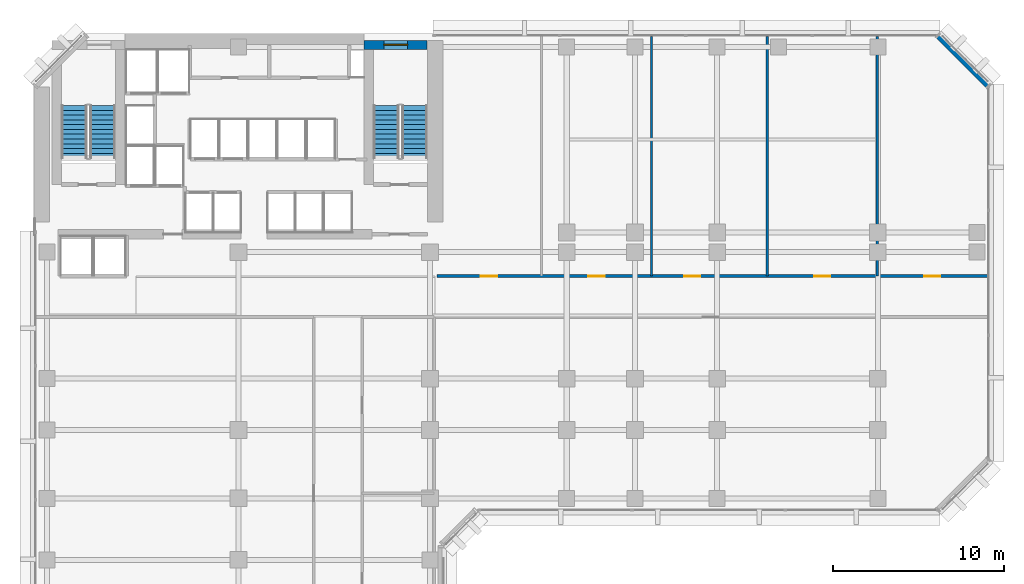
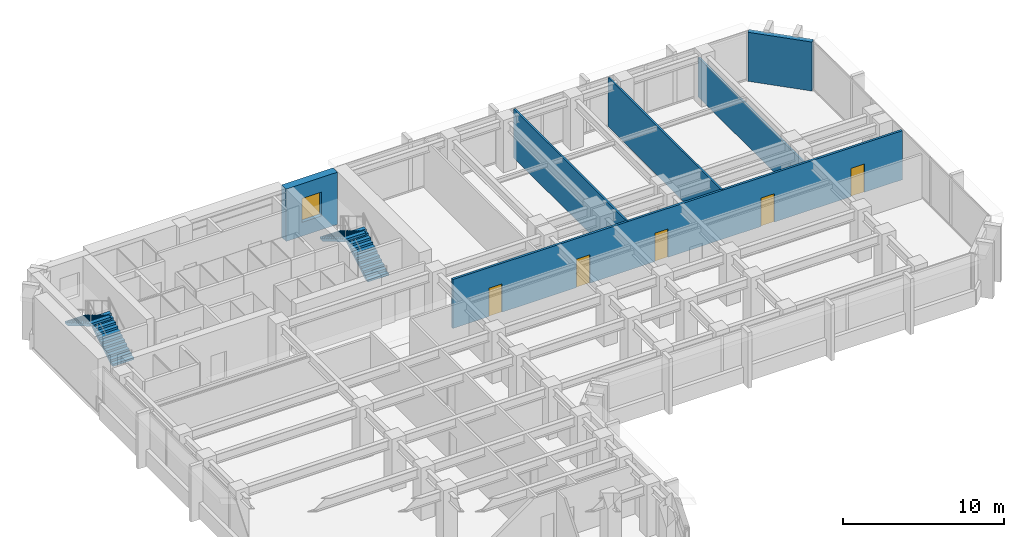
# One storey, part 8 of 13: 6 walls, 5 doors, 4 stair flights, 1 window, 6 openings, 2 elements without a shape of their own.
"""IFC4 building model written with IfcOpenShell, lengths in metres."""

from ifc_helpers import new_model, si_unit, direction, frame, frame_2d, origin, place, context, subcontext, project, spatial, polyline, rectangle, outline, extrude, material, layer, layer_set, type_object, element, fill, aggregate, save


model = new_model("IFC4")

# Units and contexts
model_context = context("Model", 3, precision=1e-05, world=origin(), true_north=direction((0.0, 1.0)))
body_context = subcontext(model_context, "Body", "Model", "MODEL_VIEW")
ifc_project = project(units=[si_unit("LENGTHUNIT", "METRE"), si_unit("AREAUNIT", "SQUARE_METRE"), si_unit("VOLUMEUNIT", "CUBIC_METRE"), si_unit("PLANEANGLEUNIT", "RADIAN"), si_unit("MASSUNIT", "GRAM", prefix="KILO")], contexts=[model_context])

# Site, building, storey
site_placement = place(None, origin())
site = spatial("IfcSite", under=ifc_project, at=site_placement, CompositionType="ELEMENT")
building_placement = place(site_placement, origin())
building = spatial("IfcBuilding", under=site, at=building_placement, Name="Kefirva Bronze Tower", CompositionType="ELEMENT")
storey_placement = place(building_placement, frame((0.0, 0.0, 69.9599609375)))
storey = spatial("IfcBuildingStorey", under=building, at=storey_placement, Name="L16", CompositionType="ELEMENT", Elevation=69.9599609375)

# Walls
ifc_material_1 = material(Name="Gypsum acoustic partition")
ifc_layer_1 = layer(ifc_material_1, 0.1298828125, Name="Gypsum acoustic partition")
ifc_layer_set_1 = layer_set([ifc_layer_1], Name="Gypsum acoustic partition")
wall_type_1 = type_object("IfcWallType", Name="Acoustic Office Partition 130mm", PredefinedType="PARTITIONING", material=ifc_layer_set_1)
for number, where, z_axis, x_axis, name in (
    (1, (36.161865234375, 31.800048828125, 0.0), (0.0, 0.0, 1.0), (0.0, 1.0, 0.0), "L16 Partition W-L16-END2"),
    (2, (42.926025390625, 31.800048828125, 0.0), (0.0, 0.0, 1.0), (0.0, 1.0, 0.0), "L16 Partition W-L16-END3"),
):
    element("IfcWall", number, at=place(storey_placement, frame(where, z_axis=z_axis, x_axis=x_axis)), inside=storey, type_object=wall_type_1, Name=name, PredefinedType="PARTITIONING", context=body_context, shape_type="SweptSolid", body=[
        extrude(rectangle(XDim=14.010009765625, YDim=0.1298828125, at=frame_2d((7.0048828125, 0.0))), origin(), (0.0, 0.0, 1.0), 3.7099609375),
    ])
wall_1_placement = place(storey_placement, frame((49.367919921875, 31.800048828125, 0.0), z_axis=(0.0, 0.0, 1.0), x_axis=(0.0, 1.0, 0.0)))
element("IfcWall", 3, at=wall_1_placement, inside=storey, type_object=wall_type_1, Name="L16 Partition W-L16-END4", PredefinedType="PARTITIONING", context=body_context, shape_type="SweptSolid", body=[
    extrude(rectangle(XDim=14.010009765625, YDim=0.1298828125, at=frame_2d((7.0048828125, 0.0))), origin(), (0.0, 0.0, 1.0), 2.9951171875),
])
ifc_material_2 = material(Name="Precast concrete C40/50", Category="concrete")
ifc_layer_2 = layer(ifc_material_2, 0.320068359375, Name="Precast concrete C40/50")
ifc_layer_set_2 = layer_set([ifc_layer_2], Name="Precast concrete C40/50")
wall_type_2 = type_object("IfcWallType", Name="Precast Insulated Exterior Wall 320mm", PredefinedType="SOLIDWALL", material=ifc_layer_set_2)
wall_2_placement = place(storey_placement, frame((55.847900390625, 42.92578125, 0.0), z_axis=(0.0, 0.0, 1.0), x_axis=(-0.707106781187, 0.707106781187, 0.0)))
element("IfcWall", 4, at=wall_2_placement, inside=storey, type_object=wall_type_2, Name="L16 Exterior Facade Wall 5", PredefinedType="SOLIDWALL", context=body_context, shape_type="SweptSolid", body=[
    extrude(rectangle(XDim=4.132568359375, YDim=0.320068359375, at=frame_2d((2.06640625, 0.0))), origin(), (0.0, 0.0, 1.0), 3.7099609375),
])

# Wall, openings, doors
ifc_layer_3 = layer(ifc_material_1, 0.159912109375, Name="Gypsum acoustic partition")
ifc_layer_set_3 = layer_set([ifc_layer_3], Name="Gypsum acoustic partition")
wall_type_3 = type_object("IfcWallType", Name="Protected Corridor Partition 160mm", PredefinedType="PARTITIONING", material=ifc_layer_set_3)
wall_3_placement = place(storey_placement, frame((23.60009765625, 31.800048828125, 0.0), z_axis=(0.0, 0.0, 1.0), x_axis=(1.0, 0.0, 0.0)))
wall_3 = element("IfcWall", 5, at=wall_3_placement, inside=storey, type_object=wall_type_3, Name="L16 Partition W-L16-EWN", PredefinedType="PARTITIONING", context=body_context, shape_type="SweptSolid", body=[
    extrude(rectangle(XDim=32.2099609375, YDim=0.159912109375, at=frame_2d((16.10498046875, 0.0))), origin(), (0.0, 0.0, 1.0), 3.7099609375),
])
opening_1_placement = place(wall_3_placement, frame((2.5849609375, 0.0, 0.0)))
opening_1 = element("IfcOpeningElement", 6, at=opening_1_placement, cuts=wall_3, Name="Opening L16-D-EN1", PredefinedType="OPENING", context=body_context, shape_type="SweptSolid", body=[
    extrude(rectangle(XDim=0.949951171875, YDim=2.14990234375, at=frame_2d((0.47509765625, 1.074951171875))), frame((0.0, 0.08984375, 0.0), z_axis=(0.0, -1.0, 0.0), x_axis=(1.0, 0.0, 0.0)), (0.0, 0.0, 1.0), 0.179931640625),
])
opening_2_placement = place(wall_3_placement, frame((8.865966796875, 0.0, 0.0)))
opening_2 = element("IfcOpeningElement", 7, at=opening_2_placement, cuts=wall_3, Name="Opening L16-D-EN2", PredefinedType="OPENING", context=body_context, shape_type="SweptSolid", body=[
    extrude(rectangle(XDim=0.949951171875, YDim=2.14990234375, at=frame_2d((0.47509765625, 1.074951171875))), frame((0.0, 0.08984375, 0.0), z_axis=(0.0, -1.0, 0.0), x_axis=(1.0, 0.0, 0.0)), (0.0, 0.0, 1.0), 0.179931640625),
])
opening_3_placement = place(wall_3_placement, frame((14.468994140625, 0.0, 0.0)))
opening_3 = element("IfcOpeningElement", 8, at=opening_3_placement, cuts=wall_3, Name="Opening L16-D-EN3", PredefinedType="OPENING", context=body_context, shape_type="SweptSolid", body=[
    extrude(rectangle(XDim=0.949951171875, YDim=2.14990234375, at=frame_2d((0.47509765625, 1.074951171875))), frame((0.0, 0.08984375, 0.0), z_axis=(0.0, -1.0, 0.0), x_axis=(1.0, 0.0, 0.0)), (0.0, 0.0, 1.0), 0.179931640625),
])
opening_4_placement = place(wall_3_placement, frame((22.072021484375, 0.0, 0.0)))
opening_4 = element("IfcOpeningElement", 9, at=opening_4_placement, cuts=wall_3, Name="Opening L16-D-EN4", PredefinedType="OPENING", context=body_context, shape_type="SweptSolid", body=[
    extrude(rectangle(XDim=0.949951171875, YDim=2.14990234375, at=frame_2d((0.47509765625, 1.074951171875))), frame((0.0, 0.08984375, 0.0), z_axis=(0.0, -1.0, 0.0), x_axis=(1.0, 0.0, 0.0)), (0.0, 0.0, 1.0), 0.179931640625),
])
opening_5_placement = place(wall_3_placement, frame((28.513916015625, 0.0, 0.0)))
opening_5 = element("IfcOpeningElement", 10, at=opening_5_placement, cuts=wall_3, Name="Opening L16-D-EN5", PredefinedType="OPENING", context=body_context, shape_type="SweptSolid", body=[
    extrude(rectangle(XDim=0.949951171875, YDim=2.14990234375, at=frame_2d((0.47509765625, 1.074951171875))), frame((0.0, 0.08984375, 0.0), z_axis=(0.0, -1.0, 0.0), x_axis=(1.0, 0.0, 0.0)), (0.0, 0.0, 1.0), 0.179931640625),
])
ifc_material_3 = material(Name="Acoustic hardwood oak", Category="wood")
door_type = type_object("IfcDoorType", Name="Office & Meeting Room Door 950x2150", OperationType="NOTDEFINED", PredefinedType="DOOR", material=ifc_material_3)
door_1_placement = place(opening_1_placement, origin())
door_1 = element("IfcDoor", 11, at=door_1_placement, inside=storey, type_object=door_type, Name="Door L16-D-EN1", OperationType="SINGLE_SWING_LEFT", OverallHeight=2.14990234375, OverallWidth=0.949951171875, PredefinedType="DOOR", context=body_context, shape_type="SweptSolid", body=[
    extrude(rectangle(XDim=0.949951171875, YDim=2.14990234375, at=frame_2d((0.47509765625, 1.074951171875))), frame((0.0, 0.02490234375, 0.0), z_axis=(0.0, -1.0, 0.0), x_axis=(1.0, 0.0, 0.0)), (0.0, 0.0, 1.0), 0.050048828125),
])
fill(opening_1, door_1)
door_2_placement = place(opening_2_placement, origin())
door_2 = element("IfcDoor", 12, at=door_2_placement, inside=storey, type_object=door_type, Name="Door L16-D-EN2", OperationType="SINGLE_SWING_RIGHT", OverallHeight=2.14990234375, OverallWidth=0.949951171875, PredefinedType="DOOR", context=body_context, shape_type="SweptSolid", body=[
    extrude(rectangle(XDim=0.949951171875, YDim=2.14990234375, at=frame_2d((0.47509765625, 1.074951171875))), frame((0.0, 0.02490234375, 0.0), z_axis=(0.0, -1.0, 0.0), x_axis=(1.0, 0.0, 0.0)), (0.0, 0.0, 1.0), 0.050048828125),
])
fill(opening_2, door_2)
door_3_placement = place(opening_3_placement, origin())
door_3 = element("IfcDoor", 13, at=door_3_placement, inside=storey, type_object=door_type, Name="Door L16-D-EN3", OperationType="SINGLE_SWING_LEFT", OverallHeight=2.14990234375, OverallWidth=0.949951171875, PredefinedType="DOOR", context=body_context, shape_type="SweptSolid", body=[
    extrude(rectangle(XDim=0.949951171875, YDim=2.14990234375, at=frame_2d((0.47509765625, 1.074951171875))), frame((0.0, 0.02490234375, 0.0), z_axis=(0.0, -1.0, 0.0), x_axis=(1.0, 0.0, 0.0)), (0.0, 0.0, 1.0), 0.050048828125),
])
fill(opening_3, door_3)
door_4_placement = place(opening_4_placement, origin())
door_4 = element("IfcDoor", 14, at=door_4_placement, inside=storey, type_object=door_type, Name="Door L16-D-EN4", OperationType="SINGLE_SWING_RIGHT", OverallHeight=2.14990234375, OverallWidth=0.949951171875, PredefinedType="DOOR", context=body_context, shape_type="SweptSolid", body=[
    extrude(rectangle(XDim=0.949951171875, YDim=2.14990234375, at=frame_2d((0.47509765625, 1.074951171875))), frame((0.0, 0.02490234375, 0.0), z_axis=(0.0, -1.0, 0.0), x_axis=(1.0, 0.0, 0.0)), (0.0, 0.0, 1.0), 0.050048828125),
])
fill(opening_4, door_4)
door_5_placement = place(opening_5_placement, origin())
door_5 = element("IfcDoor", 15, at=door_5_placement, inside=storey, type_object=door_type, Name="Door L16-D-EN5", OperationType="SINGLE_SWING_LEFT", OverallHeight=2.14990234375, OverallWidth=0.949951171875, PredefinedType="DOOR", context=body_context, shape_type="SweptSolid", body=[
    extrude(rectangle(XDim=0.949951171875, YDim=2.14990234375, at=frame_2d((0.47509765625, 1.074951171875))), frame((0.0, 0.02490234375, 0.0), z_axis=(0.0, -1.0, 0.0), x_axis=(1.0, 0.0, 0.0)), (0.0, 0.0, 1.0), 0.050048828125),
])
fill(opening_5, door_5)

# Wall, opening, window
ifc_material_4 = material(Name="Concrete C50/60", Category="concrete")
ifc_layer_4 = layer(ifc_material_4, 0.550048828125, Name="Concrete C50/60")
ifc_layer_set_4 = layer_set([ifc_layer_4], Name="Concrete C50/60")
wall_type_4 = type_object("IfcWallType", Name="RC Rear Core Exterior Wall 550mm", PredefinedType="SHEAR", material=ifc_layer_set_4)
wall_4_placement = place(storey_placement, frame((19.35009765625, 45.320068359375, 0.0), z_axis=(0.0, 0.0, 1.0), x_axis=(1.0, 0.0, 0.0)))
wall_4 = element("IfcWall", 16, at=wall_4_placement, inside=storey, type_object=wall_type_4, Name="L16 Stair 2 North Shear Wall", PredefinedType="SHEAR", context=body_context, shape_type="SweptSolid", body=[
    extrude(rectangle(XDim=3.68994140625, YDim=0.550048828125, at=frame_2d((1.844970703125, 0.0))), origin(), (0.0, 0.0, 1.0), 3.9599609375),
])
opening_6_placement = place(wall_4_placement, frame((1.14990234375, 0.0, 1.050048828125)))
opening_6 = element("IfcOpeningElement", 17, at=opening_6_placement, cuts=wall_4, Name="Opening WN-03", PredefinedType="OPENING", context=body_context, shape_type="SweptSolid", body=[
    extrude(rectangle(XDim=1.39990234375, YDim=1.800048828125, at=frame_2d((0.699951171875, 0.89990234375))), frame((0.0, 0.28515625, 0.0), z_axis=(0.0, -1.0, 0.0), x_axis=(1.0, 0.0, 0.0)), (0.0, 0.0, 1.0), 0.570068359375),
])
ifc_material_5 = material(Name="Laminated low-E double glazing", Category="glass")
window_type = type_object("IfcWindowType", Name="Rear-Core Stair Daylight Window 1400x1800", PartitioningType="SINGLE_PANEL", PredefinedType="WINDOW", material=ifc_material_5)
window_placement = place(opening_6_placement, origin())
window = element("IfcWindow", 18, at=window_placement, inside=storey, type_object=window_type, Name="L16 Stair 2 Daylight Window", OverallHeight=1.800048828125, OverallWidth=1.39990234375, PartitioningType="SINGLE_PANEL", PredefinedType="WINDOW", context=body_context, shape_type="SweptSolid", body=[
    extrude(rectangle(XDim=1.39990234375, YDim=1.800048828125, at=frame_2d((0.699951171875, 0.89990234375))), frame((0.0, 0.030029296875, 0.0), z_axis=(0.0, -1.0, 0.0), x_axis=(1.0, 0.0, 0.0)), (0.0, 0.0, 1.0), 0.06005859375),
])
fill(opening_6, window)

# Stair, stair flights
ifc_material_6 = material(Name="Concrete C40/50", Category="concrete")
stair_type = type_object("IfcStairType", Name="RC Dogleg Protected Stair 24R", PredefinedType="HALF_TURN_STAIR", material=ifc_material_6)
stair_1_placement = place(storey_placement, origin())
stair_1 = element("IfcStair", 19, at=stair_1_placement, inside=storey, type_object=stair_type, Name="L16 Protected Exit Stair 1", PredefinedType="HALF_TURN_STAIR")
stair_flight_type = type_object("IfcStairFlightType", Name="RC Straight Stair Flight 24R", PredefinedType="STRAIGHT", material=ifc_material_6)
stair_flight_1_placement = place(storey_placement, frame((4.050048828125, 38.699951171875, 0.0), z_axis=(0.0, 0.0, 1.0), x_axis=(0.0, 1.0, 0.0)))
stair_flight_1 = element("IfcStairFlight", 20, at=stair_flight_1_placement, type_object=stair_flight_type, Name="ST-1 flight 1", NumberOfRisers=12, NumberOfTreads=11, PredefinedType="STRAIGHT", RiserHeight=0.165, TreadLength=0.28, context=body_context, shape_type="SweptSolid", body=[
    extrude(outline(polyline([(0.0, 0.0), (0.0, 0.1650390625), (0.280029296875, 0.1650390625), (0.280029296875, 0.330078125), (0.56005859375, 0.330078125), (0.56005859375, 0.4951171875), (0.840087890625, 0.4951171875), (0.840087890625, 0.659912109375), (1.1201171875, 0.659912109375), (1.1201171875, 0.824951171875), (1.39990234375, 0.824951171875), (1.39990234375, 0.989990234375), (1.679931640625, 0.989990234375), (1.679931640625, 1.155029296875), (1.9599609375, 1.155029296875), (1.9599609375, 1.320068359375), (2.239990234375, 1.320068359375), (2.239990234375, 1.485107421875), (2.52001953125, 1.485107421875), (2.52001953125, 1.64990234375), (2.800048828125, 1.64990234375), (2.800048828125, 1.81494140625), (3.080078125, 1.81494140625), (3.080078125, 1.97998046875), (3.080078125, 1.64111328125), (0.295166015625, 0.0), (0.0, 0.0)])), frame((0.0, 0.75, 0.0), z_axis=(0.0, -1.0, 0.0), x_axis=(1.0, 0.0, 0.0)), (0.0, 0.0, 1.0), 1.5),
])
stair_flight_2_placement = place(storey_placement, frame((2.39990234375, 41.780029296875, 1.97998046875), z_axis=(0.0, 0.0, 1.0), x_axis=(0.0, -1.0, 0.0)))
stair_flight_2 = element("IfcStairFlight", 21, at=stair_flight_2_placement, type_object=stair_flight_type, Name="ST-1 flight 2", NumberOfRisers=12, NumberOfTreads=11, PredefinedType="STRAIGHT", RiserHeight=0.165, TreadLength=0.28, context=body_context, shape_type="SweptSolid", body=[
    extrude(outline(polyline([(0.0, 0.0), (0.0, 0.1650390625), (0.280029296875, 0.1650390625), (0.280029296875, 0.330078125), (0.56005859375, 0.330078125), (0.56005859375, 0.4951171875), (0.840087890625, 0.4951171875), (0.840087890625, 0.659912109375), (1.1201171875, 0.659912109375), (1.1201171875, 0.824951171875), (1.39990234375, 0.824951171875), (1.39990234375, 0.989990234375), (1.679931640625, 0.989990234375), (1.679931640625, 1.155029296875), (1.9599609375, 1.155029296875), (1.9599609375, 1.320068359375), (2.239990234375, 1.320068359375), (2.239990234375, 1.485107421875), (2.52001953125, 1.485107421875), (2.52001953125, 1.64990234375), (2.800048828125, 1.64990234375), (2.800048828125, 1.81494140625), (3.080078125, 1.81494140625), (3.080078125, 1.97998046875), (3.080078125, 1.64111328125), (0.295166015625, 0.0), (0.0, 0.0)])), frame((0.0, 0.75, 0.0), z_axis=(0.0, -1.0, 0.0), x_axis=(1.0, 0.0, 0.0)), (0.0, 0.0, 1.0), 1.5),
])
aggregate(stair_1, [stair_flight_1, stair_flight_2])

stair_2_placement = place(storey_placement, origin())
stair_2 = element("IfcStair", 22, at=stair_2_placement, inside=storey, type_object=stair_type, Name="L16 Protected Exit Stair 2", PredefinedType="HALF_TURN_STAIR")
stair_flight_3_placement = place(storey_placement, frame((22.300048828125, 38.699951171875, 0.0), z_axis=(0.0, 0.0, 1.0), x_axis=(0.0, 1.0, 0.0)))
stair_flight_3 = element("IfcStairFlight", 23, at=stair_flight_3_placement, type_object=stair_flight_type, Name="ST-2 flight 1", NumberOfRisers=12, NumberOfTreads=11, PredefinedType="STRAIGHT", RiserHeight=0.165, TreadLength=0.28, context=body_context, shape_type="SweptSolid", body=[
    extrude(outline(polyline([(0.0, 0.0), (0.0, 0.1650390625), (0.280029296875, 0.1650390625), (0.280029296875, 0.330078125), (0.56005859375, 0.330078125), (0.56005859375, 0.4951171875), (0.840087890625, 0.4951171875), (0.840087890625, 0.659912109375), (1.1201171875, 0.659912109375), (1.1201171875, 0.824951171875), (1.39990234375, 0.824951171875), (1.39990234375, 0.989990234375), (1.679931640625, 0.989990234375), (1.679931640625, 1.155029296875), (1.9599609375, 1.155029296875), (1.9599609375, 1.320068359375), (2.239990234375, 1.320068359375), (2.239990234375, 1.485107421875), (2.52001953125, 1.485107421875), (2.52001953125, 1.64990234375), (2.800048828125, 1.64990234375), (2.800048828125, 1.81494140625), (3.080078125, 1.81494140625), (3.080078125, 1.97998046875), (3.080078125, 1.64111328125), (0.295166015625, 0.0), (0.0, 0.0)])), frame((0.0, 0.75, 0.0), z_axis=(0.0, -1.0, 0.0), x_axis=(1.0, 0.0, 0.0)), (0.0, 0.0, 1.0), 1.5),
])
stair_flight_4_placement = place(storey_placement, frame((20.64990234375, 41.780029296875, 1.97998046875), z_axis=(0.0, 0.0, 1.0), x_axis=(0.0, -1.0, 0.0)))
stair_flight_4 = element("IfcStairFlight", 24, at=stair_flight_4_placement, type_object=stair_flight_type, Name="ST-2 flight 2", NumberOfRisers=12, NumberOfTreads=11, PredefinedType="STRAIGHT", RiserHeight=0.165, TreadLength=0.28, context=body_context, shape_type="SweptSolid", body=[
    extrude(outline(polyline([(0.0, 0.0), (0.0, 0.1650390625), (0.280029296875, 0.1650390625), (0.280029296875, 0.330078125), (0.56005859375, 0.330078125), (0.56005859375, 0.4951171875), (0.840087890625, 0.4951171875), (0.840087890625, 0.659912109375), (1.1201171875, 0.659912109375), (1.1201171875, 0.824951171875), (1.39990234375, 0.824951171875), (1.39990234375, 0.989990234375), (1.679931640625, 0.989990234375), (1.679931640625, 1.155029296875), (1.9599609375, 1.155029296875), (1.9599609375, 1.320068359375), (2.239990234375, 1.320068359375), (2.239990234375, 1.485107421875), (2.52001953125, 1.485107421875), (2.52001953125, 1.64990234375), (2.800048828125, 1.64990234375), (2.800048828125, 1.81494140625), (3.080078125, 1.81494140625), (3.080078125, 1.97998046875), (3.080078125, 1.64111328125), (0.295166015625, 0.0), (0.0, 0.0)])), frame((0.0, 0.75, 0.0), z_axis=(0.0, -1.0, 0.0), x_axis=(1.0, 0.0, 0.0)), (0.0, 0.0, 1.0), 1.5),
])
aggregate(stair_2, [stair_flight_3, stair_flight_4])

save(model, "model.ifc")
